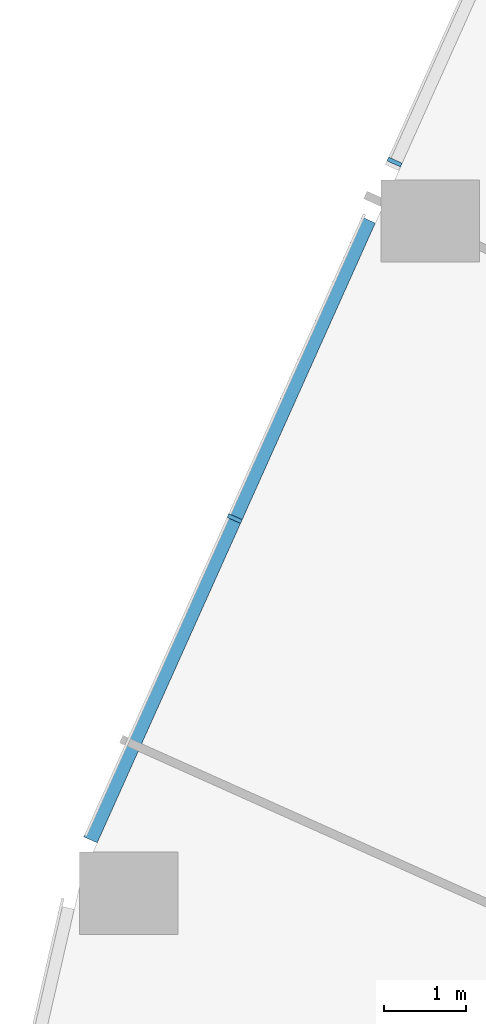
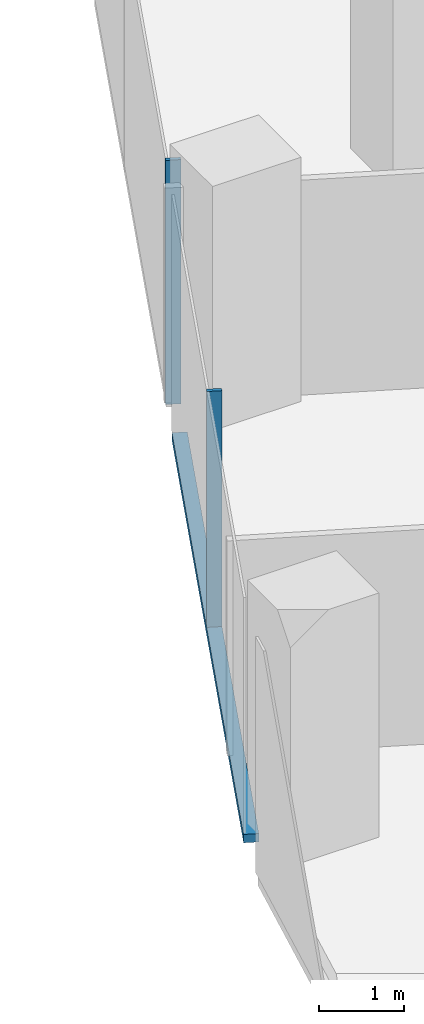
# One storey, part 4 of 34: 3 members, 1 element without a shape of its own.
"""IFC4 building model written with IfcOpenShell, lengths in metres."""

from ifc_helpers import new_model, si_unit, direction, frame, origin, origin_2d, place, context, subcontext, project, spatial, rectangle, extrude, material, material_profile, profile_set, type_object, element, aggregate, save


model = new_model("IFC4")

# Units and contexts
model_context = context("Model", 3, precision=1e-05, world=origin(), true_north=direction((0.0, 1.0)))
body_context = subcontext(model_context, "Body", "Model", "MODEL_VIEW")
ifc_project = project(units=[si_unit("LENGTHUNIT", "METRE"), si_unit("AREAUNIT", "SQUARE_METRE"), si_unit("VOLUMEUNIT", "CUBIC_METRE"), si_unit("PLANEANGLEUNIT", "RADIAN"), si_unit("MASSUNIT", "GRAM", prefix="KILO")], contexts=[model_context])

# Site, building, storey
site_placement = place(None, origin())
site = spatial("IfcSite", under=ifc_project, at=site_placement, CompositionType="ELEMENT")
building_placement = place(site_placement, origin())
building = spatial("IfcBuilding", under=site, at=building_placement, Name="Orlundy Tower", CompositionType="ELEMENT")
storey_placement = place(building_placement, frame((0.0, 0.0, 127.199951171875)))
storey = spatial("IfcBuildingStorey", under=building, at=storey_placement, Name="L32", CompositionType="ELEMENT", Elevation=127.199951171875)

# Curtain wall, members
ifc_material_1 = material(Name="Aluminium bronze anodised", Category="aluminium")
curtain_wall_type = type_object("IfcCurtainWallType", Name="CW1 wall", PredefinedType="NOTDEFINED", material=ifc_material_1)
curtain_wall_placement = place(storey_placement, origin())
curtain_wall = element("IfcCurtainWall", 1, at=curtain_wall_placement, inside=storey, type_object=curtain_wall_type, Name="CW1 run 00", PredefinedType="NOTDEFINED")
ifc_material_2 = material(Name="Aluminium bronze anodised", Category="aluminium")
ifc_material_profile_1 = material_profile(ifc_material_2, rectangle(XDim=0.179931640625, YDim=0.050048828125, at=origin_2d()), Name="CW1 mullion 50x180")
ifc_profile_set_1 = profile_set([ifc_material_profile_1], Name="Aluminium bronze anodised")
member_type_1 = type_object("IfcMemberType", Name="CW1 mullion 50x180", PredefinedType="MULLION", material=ifc_profile_set_1)
member_1_placement = place(storey_placement, frame((-37.26123046875, -33.966552734375, -0.39990234375), z_axis=(0.0, 0.0, 1.0), x_axis=(-0.912353169834, 0.409404071174, 0.0)))
member_1 = element("IfcMember", 2, at=member_1_placement, type_object=member_type_1, Name="CW1 mullion 2", PredefinedType="MULLION", context=body_context, shape_type="SweptSolid", body=[
    extrude(rectangle(XDim=0.179931640625, YDim=0.050048828125, at=origin_2d()), origin(), (0.0, 0.0, 1.0), 3.5),
])
member_2_placement = place(storey_placement, frame((-35.314453125, -29.628173828125, -0.39990234375), z_axis=(0.0, 0.0, 1.0), x_axis=(-0.912353169834, 0.409404071174, 0.0)))
member_2 = element("IfcMember", 3, at=member_2_placement, type_object=member_type_1, Name="CW1 mullion 3", PredefinedType="MULLION", context=body_context, shape_type="SweptSolid", body=[
    extrude(rectangle(XDim=0.179931640625, YDim=0.050048828125, at=origin_2d()), origin(), (0.0, 0.0, 1.0), 3.5),
])
ifc_material_3 = material(Name="Aluminium bronze anodised", Category="aluminium")
ifc_material_profile_2 = material_profile(ifc_material_3, rectangle(XDim=0.179931640625, YDim=0.1201171875, at=origin_2d()), Name="CW1 transom 180x120")
ifc_profile_set_2 = profile_set([ifc_material_profile_2], Name="Aluminium bronze anodised")
member_type_2 = type_object("IfcMemberType", Name="CW1 transom 180x120", PredefinedType="USERDEFINED", material=ifc_profile_set_2)
member_3_placement = place(storey_placement, frame((-39.015869140625, -37.876953125, -0.33984375), z_axis=(0.409379753605, 0.91236408157, 0.0), x_axis=(-0.91236408157, 0.409379753605, 0.0)))
member_3 = element("IfcMember", 4, at=member_3_placement, type_object=member_type_2, Name="CW1 transom", ObjectType="TRANSOM", PredefinedType="USERDEFINED", context=body_context, shape_type="SweptSolid", body=[
    extrude(rectangle(XDim=0.179931640625, YDim=0.1201171875, at=origin_2d()), origin(), (0.0, 0.0, 1.0), 8.26806640625),
])
aggregate(curtain_wall, [member_1, member_2, member_3])

save(model, "model.ifc")
